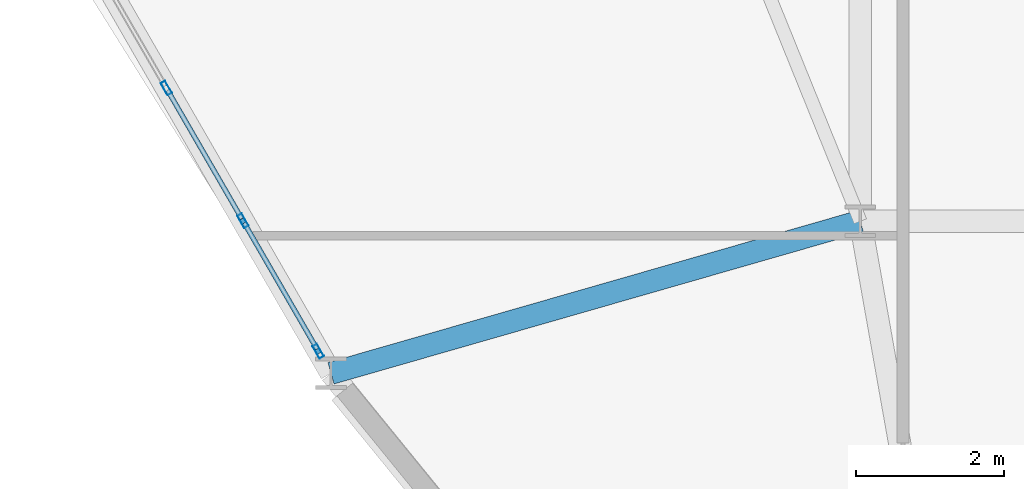
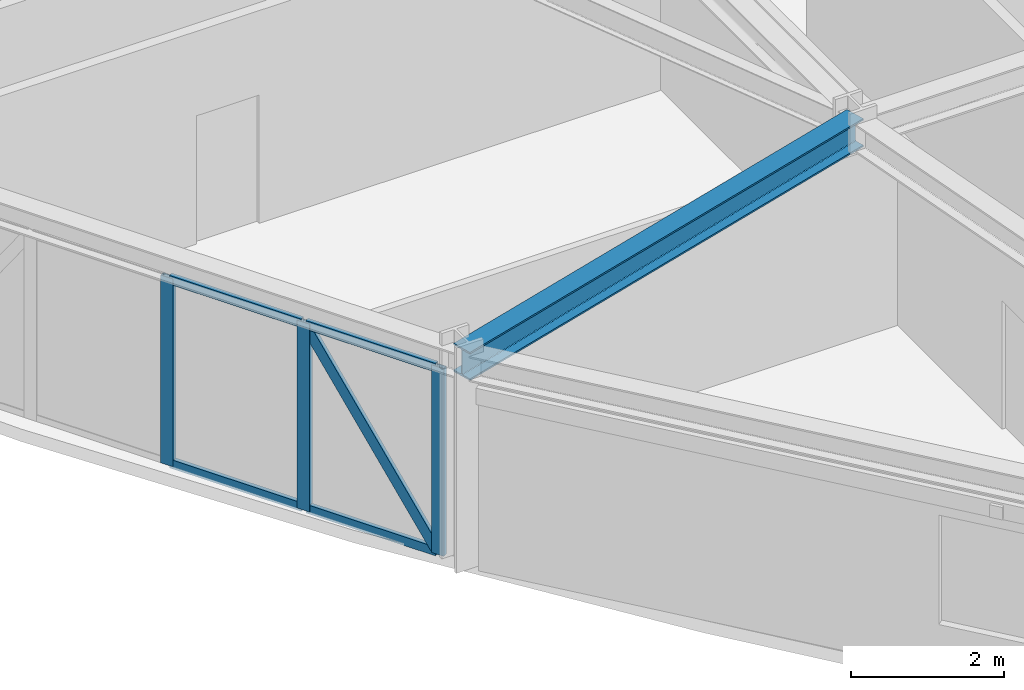
# One storey, part 2 of 15: 8 members, 1 beam, 1 element without a shape of its own.
"""IFC4 building model written with IfcOpenShell, lengths in metres."""

from ifc_helpers import new_model, si_unit, derived_unit, direction, frame, origin, origin_2d, place, context, subcontext, project, spatial, hollow_rectangle, i_section, extrude, source, transform, mapped, material, layer, layer_set, material_profile, profile_set, type_object, element, aggregate, save


model = new_model("IFC4")

# Units and contexts
model_context = context("Model", 3, precision=1e-05, world=origin(), true_north=direction((0.0, 1.0)))
body_context = subcontext(model_context, "Body", "Model", "MODEL_VIEW")
ifc_project = project(units=[si_unit("LENGTHUNIT", "METRE"), si_unit("AREAUNIT", "SQUARE_METRE"), si_unit("VOLUMEUNIT", "CUBIC_METRE"), si_unit("PLANEANGLEUNIT", "RADIAN"), si_unit("MASSUNIT", "GRAM", prefix="KILO"), derived_unit("THERMALTRANSMITTANCEUNIT", [(si_unit("POWERUNIT", "WATT"), 1), (si_unit("LENGTHUNIT", "METRE"), -2), (si_unit("THERMODYNAMICTEMPERATUREUNIT", "KELVIN"), -1)])], contexts=[model_context])

# Site, building, storey
site_placement = place(None, origin())
site = spatial("IfcSite", under=ifc_project, at=site_placement, CompositionType="ELEMENT")
building_placement = place(site_placement, origin())
building = spatial("IfcBuilding", under=site, at=building_placement, Name="Korsvarv Bourse and Concert Hall", CompositionType="ELEMENT")
storey_placement = place(building_placement, frame((0.0, 0.0, 147.0)))
storey = spatial("IfcBuildingStorey", under=building, at=storey_placement, Name="L37", CompositionType="ELEMENT", Elevation=147.0)

# Beam
ifc_material_1 = material(Name="Steel S355", Category="steel")
ifc_material_profile_1 = material_profile(ifc_material_1, i_section(OverallWidth=0.300048828125, OverallDepth=0.449951171875, WebThickness=0.013916015625, FlangeThickness=0.02587890625, FilletRadius=0.02099609375, at=origin_2d()), Name="HEB 450")
ifc_profile_set_1 = profile_set([ifc_material_profile_1], Name="Steel S355")
beam_type = type_object("IfcBeamType", Name="BM-HEB450", PredefinedType="SPANDREL", material=ifc_profile_set_1)
shared_shape_1 = source(origin(), body_context, "Body", "SweptSolid", [
    extrude(i_section(OverallWidth=0.300048828125, OverallDepth=0.449951171875, WebThickness=0.013916015625, FlangeThickness=0.02587890625, FilletRadius=0.02099609375, at=origin_2d()), origin(), (0.0, 0.0, 1.0), 7.4189453125),
])
beam_placement = place(storey_placement, frame((20.469482421875, 21.951904296875, 3.175048828125), z_axis=(0.961139291875, 0.276063872344, 0.0), x_axis=(-0.276063872344, 0.961139291875, 0.0)))
element("IfcBeam", 1, at=beam_placement, inside=storey, type_object=beam_type, Name="L37 beam B-08", PredefinedType="SPANDREL", context=body_context, shape_type="MappedRepresentation", body=[
    mapped(shared_shape_1, transform((0.0, 0.0, 0.0), scale=1.0)),
])

# Curtain wall, members
ifc_material_2 = material(Name="Anodised aluminium and triple low-E glazing", Category="glass")
ifc_layer = layer(ifc_material_2, 0.2099609375)
ifc_layer_set = layer_set([ifc_layer], Name="Anodised aluminium and triple low-E glazing")
curtain_wall_type = type_object("IfcCurtainWallType", Name="CW-SYS-2", PredefinedType="NOTDEFINED", material=ifc_layer_set)
curtain_wall_placement = place(storey_placement, origin())
curtain_wall = element("IfcCurtainWall", 2, at=curtain_wall_placement, inside=storey, type_object=curtain_wall_type, Name="L37 CW2 curtain wall CW-L37-F07", PredefinedType="NOTDEFINED")
ifc_material_3 = material(Name="Extruded aluminium EN AW-6063 T66", Category="aluminium")
ifc_material_profile_2 = material_profile(ifc_material_3, hollow_rectangle(XDim=0.070068359375, YDim=0.18994140625, WallThickness=0.0048828125, at=origin_2d()), Name="ALU-M 70x190")
ifc_profile_set_2 = profile_set([ifc_material_profile_2], Name="Extruded aluminium EN AW-6063 T66")
member_type_1 = type_object("IfcMemberType", Name="CWM-190", PredefinedType="MULLION", material=ifc_profile_set_2)
shared_shape_2 = source(origin(), body_context, "Body", "SweptSolid", [
    extrude(hollow_rectangle(XDim=0.070068359375, YDim=0.18994140625, WallThickness=0.0048828125, at=origin_2d()), origin(), (0.0, 0.0, 1.0), 3.0),
])
member_1_placement = place(storey_placement, frame((18.251220703125, 25.794189453125, 0.0), z_axis=(0.0, 0.0, 1.0), x_axis=(0.866022202013, 0.500005545591, 0.0)))
member_1 = element("IfcMember", 3, at=member_1_placement, type_object=member_type_1, Name="CW2 mullion 5", PredefinedType="MULLION", context=body_context, shape_type="MappedRepresentation", body=[
    mapped(shared_shape_2, transform((0.0, 0.0, 0.0), scale=1.0)),
])
member_2_placement = place(storey_placement, frame((19.283203125, 24.0068359375, 0.0), z_axis=(0.0, 0.0, 1.0), x_axis=(0.866022202013, 0.500005545591, 0.0)))
member_2 = element("IfcMember", 4, at=member_2_placement, type_object=member_type_1, Name="CW2 mullion 6", PredefinedType="MULLION", context=body_context, shape_type="MappedRepresentation", body=[
    mapped(shared_shape_2, transform((0.0, 0.0, 0.0), scale=1.0)),
])
member_3_placement = place(storey_placement, frame((20.297607421875, 22.249755859375, 0.0), z_axis=(0.0, 0.0, 1.0), x_axis=(0.866022202013, 0.500005545591, 0.0)))
member_3 = element("IfcMember", 5, at=member_3_placement, type_object=member_type_1, Name="CW2 mullion 7", PredefinedType="MULLION", context=body_context, shape_type="MappedRepresentation", body=[
    mapped(shared_shape_2, transform((0.0, 0.0, 0.0), scale=1.0)),
])
ifc_material_profile_3 = material_profile(ifc_material_3, hollow_rectangle(XDim=0.06494140625, YDim=0.139892578125, WallThickness=0.00390625, at=origin_2d()), Name="ALU-T 65x140")
ifc_profile_set_3 = profile_set([ifc_material_profile_3], Name="Extruded aluminium EN AW-6063 T66")
member_type_2 = type_object("IfcMemberType", Name="CWT-140", PredefinedType="USERDEFINED", material=ifc_profile_set_3)
shared_shape_3 = source(origin(), body_context, "Body", "SweptSolid", [
    extrude(hollow_rectangle(XDim=0.06494140625, YDim=0.139892578125, WallThickness=0.00390625, at=origin_2d()), origin(), (0.0, 0.0, 1.0), 1.958984375),
])
member_4_placement = place(storey_placement, frame((19.30078125, 23.9765625, 0.032470703125), z_axis=(0.499999343788, -0.866025782648, 0.0), x_axis=(0.866025782648, 0.499999343788, 0.0)))
member_4 = element("IfcMember", 6, at=member_4_placement, type_object=member_type_2, Name="CW2 transom 6.1", ObjectType="TRANSOM", PredefinedType="USERDEFINED", context=body_context, shape_type="MappedRepresentation", body=[
    mapped(shared_shape_3, transform((0.0, 0.0, 0.0), scale=1.0)),
])
member_5_placement = place(storey_placement, frame((19.30078125, 23.9765625, 2.967529296875), z_axis=(0.499999343788, -0.866025782648, 0.0), x_axis=(0.866025782648, 0.499999343788, 0.0)))
member_5 = element("IfcMember", 7, at=member_5_placement, type_object=member_type_2, Name="CW2 transom 6.2", ObjectType="TRANSOM", PredefinedType="USERDEFINED", context=body_context, shape_type="MappedRepresentation", body=[
    mapped(shared_shape_3, transform((0.0, 0.0, 0.0), scale=1.0)),
])
shared_shape_4 = source(origin(), body_context, "Body", "SweptSolid", [
    extrude(hollow_rectangle(XDim=0.06494140625, YDim=0.139892578125, WallThickness=0.00390625, at=origin_2d()), origin(), (0.0, 0.0, 1.0), 1.993896484375),
])
member_6_placement = place(storey_placement, frame((18.268798828125, 25.763916015625, 0.032470703125), z_axis=(0.499945040489, -0.866057132348, 0.0), x_axis=(0.866057132348, 0.499945040489, 0.0)))
member_6 = element("IfcMember", 8, at=member_6_placement, type_object=member_type_2, Name="CW2 transom 5.1", ObjectType="TRANSOM", PredefinedType="USERDEFINED", context=body_context, shape_type="MappedRepresentation", body=[
    mapped(shared_shape_4, transform((0.0, 0.0, 0.0), scale=1.0)),
])
member_7_placement = place(storey_placement, frame((18.268798828125, 25.763916015625, 2.967529296875), z_axis=(0.499945040489, -0.866057132348, 0.0), x_axis=(0.866057132348, 0.499945040489, 0.0)))
member_7 = element("IfcMember", 9, at=member_7_placement, type_object=member_type_2, Name="CW2 transom 5.2", ObjectType="TRANSOM", PredefinedType="USERDEFINED", context=body_context, shape_type="MappedRepresentation", body=[
    mapped(shared_shape_4, transform((0.0, 0.0, 0.0), scale=1.0)),
])
ifc_material_profile_4 = material_profile(ifc_material_3, hollow_rectangle(XDim=0.06494140625, YDim=0.1650390625, WallThickness=0.0048828125, at=origin_2d()), Name="ALU-M 65x165")
ifc_profile_set_4 = profile_set([ifc_material_profile_4], Name="Extruded aluminium EN AW-6063 T66")
member_type_3 = type_object("IfcMemberType", Name="CWM-165", PredefinedType="MULLION", material=ifc_profile_set_4)
shared_shape_5 = source(origin(), body_context, "Body", "SweptSolid", [
    extrude(hollow_rectangle(XDim=0.06494140625, YDim=0.1650390625, WallThickness=0.0048828125, at=origin_2d()), origin(), (0.0, 0.0, 1.0), 3.474853515625),
])
member_8_placement = place(storey_placement, frame((20.2802734375, 22.280029296875, 0.06494140625), z_axis=(-0.281873186218, 0.488219534154, 0.825947451938), x_axis=(-0.866025782648, -0.499999343788, 0.0)))
member_8 = element("IfcMember", 10, at=member_8_placement, type_object=member_type_3, Name="CW2 diagonal mullion 6", PredefinedType="MULLION", context=body_context, shape_type="MappedRepresentation", body=[
    mapped(shared_shape_5, transform((0.0, 0.0, 0.0), scale=1.0)),
])
aggregate(curtain_wall, [member_1, member_2, member_3, member_6, member_7, member_4, member_5, member_8])

save(model, "model.ifc")
